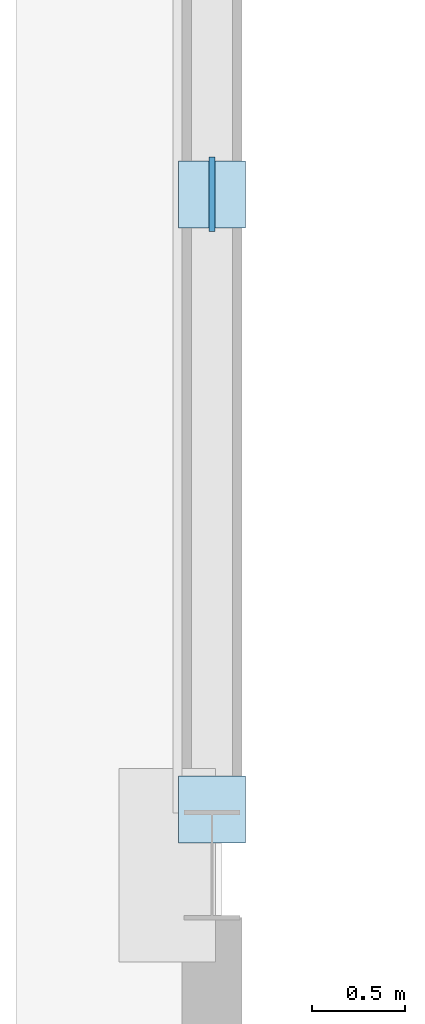
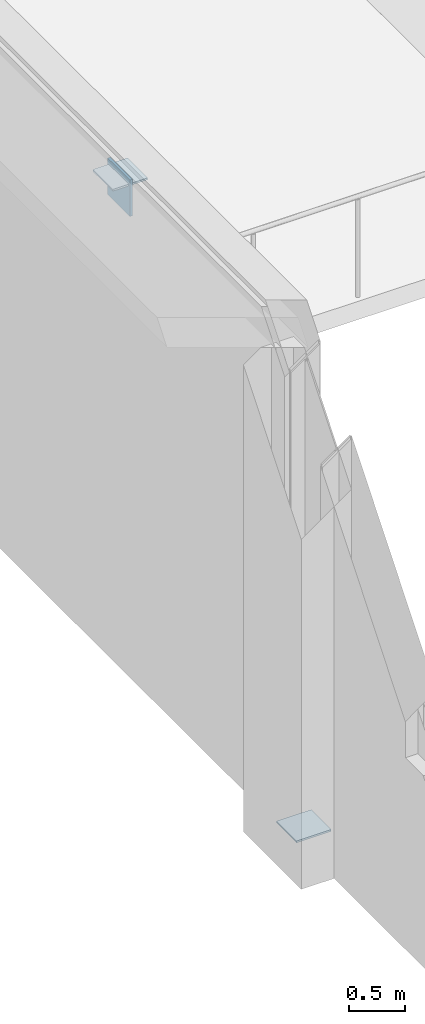
# One storey, part 45 of 80: 3 plates.
"""IFC4 building model written with IfcOpenShell, lengths in metres."""

from ifc_helpers import new_model, si_unit, direction, frame, origin, origin_2d, place, context, subcontext, project, spatial, rectangle, extrude, material, layer, layer_set, type_object, element, save


model = new_model("IFC4")

# Units and contexts
model_context = context("Model", 3, precision=1e-05, world=origin(), true_north=direction((0.0, 1.0)))
body_context = subcontext(model_context, "Body", "Model", "MODEL_VIEW")
ifc_project = project(units=[si_unit("LENGTHUNIT", "METRE"), si_unit("AREAUNIT", "SQUARE_METRE"), si_unit("VOLUMEUNIT", "CUBIC_METRE"), si_unit("PLANEANGLEUNIT", "RADIAN"), si_unit("MASSUNIT", "GRAM", prefix="KILO")], contexts=[model_context])

# Site, building, storey
site_placement = place(None, origin())
site = spatial("IfcSite", under=ifc_project, at=site_placement, CompositionType="ELEMENT")
building_placement = place(site_placement, origin())
building = spatial("IfcBuilding", under=site, at=building_placement, Name="Sardonyx Promenade Sports Hall", CompositionType="ELEMENT")
storey_placement = place(building_placement, frame((0.0, 0.0, 5.60009765625)))
storey = spatial("IfcBuildingStorey", under=building, at=storey_placement, Name="L01", CompositionType="ELEMENT", Elevation=5.60009765625)

# Plates
ifc_material_1 = material(Name="Steel S355JR", Category="steel")
ifc_layer_1 = layer(ifc_material_1, 0.02001953125)
ifc_layer_set_1 = layer_set([ifc_layer_1], Name="Plt_EndCap_EC1")
plate_type_1 = type_object("IfcPlateType", Name="Plt_EndCap_EC1", PredefinedType="USERDEFINED", material=ifc_layer_set_1)
for number, where, z_axis, x_axis, name in (
    (1, (0.0, 57.89990234375, 0.010009765625), (0.0, 0.0, 1.0), (1.0, 0.0, 0.0), "Brace foot end-cap plate EC1 BF2 L01 L1"),
    (2, (0.0, 61.199951171875, 5.15478515625), (0.0, 0.0, 1.0), (1.0, 0.0, 0.0), "Brace apex cap plate EC1 BF2 L01"),
):
    element("IfcPlate", number, at=place(storey_placement, frame(where, z_axis=z_axis, x_axis=x_axis)), inside=storey, type_object=plate_type_1, Name=name, ObjectType="END CAP PLATE", PredefinedType="USERDEFINED", context=body_context, shape_type="SweptSolid", body=[
        extrude(rectangle(XDim=0.360107421875, YDim=0.360107421875, at=origin_2d()), origin(), (0.0, 0.0, 1.0), 0.02001953125),
    ])
ifc_material_2 = material(Name="Steel S355JR", Category="steel")
ifc_layer_2 = layer(ifc_material_2, 0.030029296875)
ifc_layer_set_2 = layer_set([ifc_layer_2], Name="Plt_Gusset_KN4")
plate_type_2 = type_object("IfcPlateType", Name="Plt_Gusset_KN4", PredefinedType="USERDEFINED", material=ifc_layer_set_2)
plate_placement = place(storey_placement, frame((0.0, 61.199951171875, 4.829833984375), z_axis=(0.0, 0.0, 1.0), x_axis=(0.0, 1.0, 0.0)))
element("IfcPlate", 3, at=plate_placement, inside=storey, type_object=plate_type_2, Name="Braced-frame apex gusset KN4 BF2 L01", ObjectType="GUSSET PLATE", PredefinedType="USERDEFINED", context=body_context, shape_type="SweptSolid", body=[
    extrude(rectangle(XDim=0.39990234375, YDim=0.030029296875, at=origin_2d()), origin(), (0.0, 0.0, 1.0), 0.39990234375),
])

save(model, "model.ifc")
